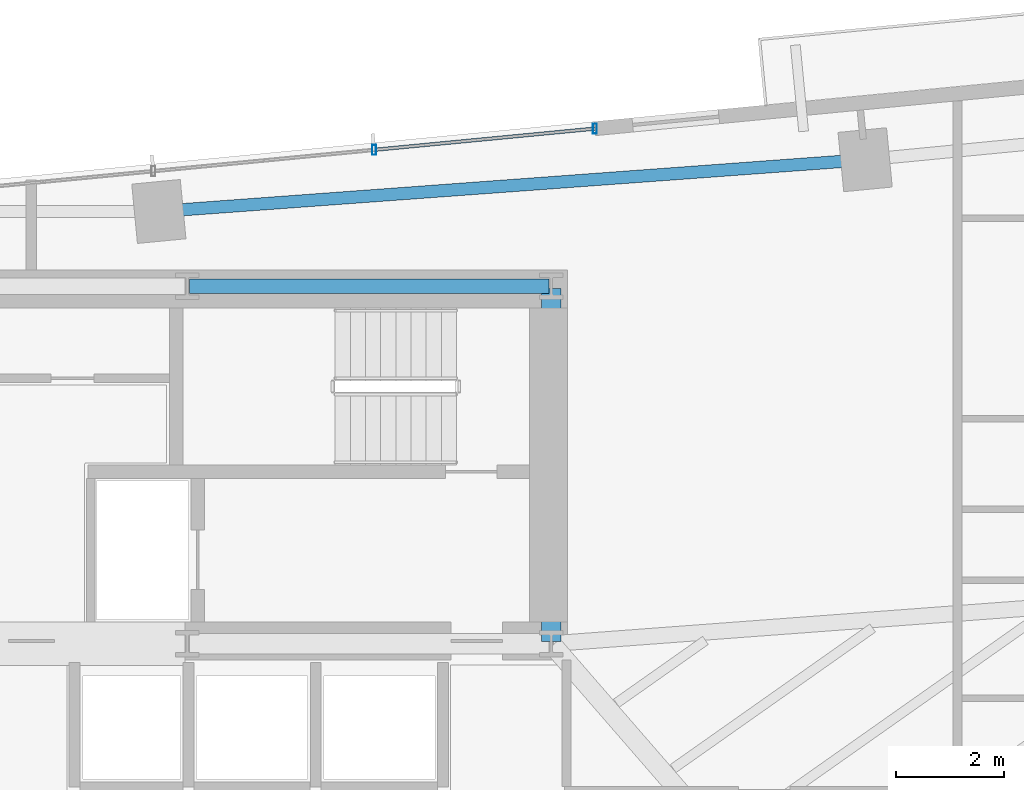
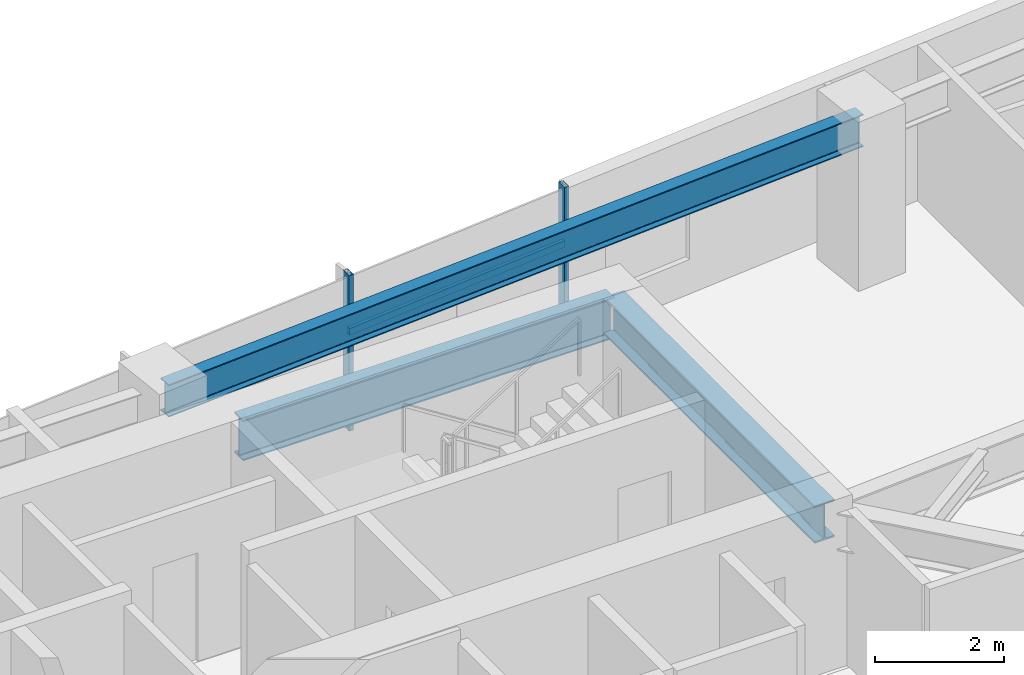
# One storey, part 17 of 27: 3 beams, 3 members, 1 element without a shape of its own.
"""IFC4 building model written with IfcOpenShell, lengths in metres."""

from ifc_helpers import new_model, si_unit, direction, frame, origin, origin_2d, place, context, subcontext, project, spatial, hollow_rectangle, i_section, extrude, source, transform, mapped, material, material_profile, profile_set, type_object, type_shapes, element, aggregate, save


model = new_model("IFC4")

# Units and contexts
model_context = context("Model", 3, precision=1e-05, world=origin(), true_north=direction((0.0, 1.0)))
body_context = subcontext(model_context, "Body", "Model", "MODEL_VIEW")
ifc_project = project(units=[si_unit("LENGTHUNIT", "METRE"), si_unit("AREAUNIT", "SQUARE_METRE"), si_unit("VOLUMEUNIT", "CUBIC_METRE"), si_unit("PLANEANGLEUNIT", "RADIAN"), si_unit("MASSUNIT", "GRAM", prefix="KILO")], contexts=[model_context])

# Site, building, storey
site_placement = place(None, origin())
site = spatial("IfcSite", under=ifc_project, at=site_placement, CompositionType="ELEMENT")
building_placement = place(site_placement, origin())
building = spatial("IfcBuilding", under=site, at=building_placement, Name="Astriad Promenade Condominiums", CompositionType="ELEMENT")
storey_placement = place(building_placement, frame((0.0, 0.0, 90.60009765625)))
storey = spatial("IfcBuildingStorey", under=building, at=storey_placement, Name="L25", CompositionType="ELEMENT", Elevation=90.60009765625)

# Beams
ifc_material_1 = material(Name="Steel ASTM A992 Grade 50", Category="steel")
ifc_material_profile_1 = material_profile(ifc_material_1, i_section(OverallWidth=0.267822265625, OverallDepth=0.76953125, WebThickness=0.015625, FlangeThickness=0.025390625, FilletRadius=0.021484375, at=origin_2d()), Name="W30X132")
ifc_profile_set_1 = profile_set([ifc_material_profile_1], Name="Steel ASTM A992 Grade 50")
beam_type_1 = type_object("IfcBeamType", Name="STEEL FLOOR GIRDER W30X132", PredefinedType="BEAM", material=ifc_profile_set_1)
shared_shape_1 = source(origin(), body_context, "Body", "SweptSolid", [
    extrude(i_section(OverallWidth=0.267822265625, OverallDepth=0.76953125, WebThickness=0.015625, FlangeThickness=0.025390625, FilletRadius=0.021484375, at=origin_2d()), origin(), (0.0, 0.0, 1.0), 6.64013671875),
])
type_shapes(beam_type_1, [shared_shape_1])
beam_1_placement = place(storey_placement, frame((38.919921875, 24.0, 2.55517578125), z_axis=(1.0, 0.0, 0.0), x_axis=(0.0, 1.0, 0.0)))
element("IfcBeam", 1, at=beam_1_placement, inside=storey, type_object=beam_type_1, Name="Core Ring Beam CG-N3-L25", PredefinedType="BEAM", context=body_context, shape_type="MappedRepresentation", body=[
    mapped(shared_shape_1, transform((0.0, 0.0, 0.0), scale=1.0)),
])
ifc_material_profile_2 = material_profile(ifc_material_1, i_section(OverallWidth=0.35791015625, OverallDepth=0.706298828125, WebThickness=0.018310546875, FlangeThickness=0.0302734375, FilletRadius=0.020263671875, at=origin_2d()), Name="W27X178")
ifc_profile_set_2 = profile_set([ifc_material_profile_2], Name="Steel ASTM A992 Grade 50")
beam_type_2 = type_object("IfcBeamType", Name="STEEL FLOOR GIRDER W27X178", PredefinedType="BEAM", material=ifc_profile_set_2)
shared_shape_2 = source(origin(), body_context, "Body", "SweptSolid", [
    extrude(i_section(OverallWidth=0.35791015625, OverallDepth=0.706298828125, WebThickness=0.018310546875, FlangeThickness=0.0302734375, FilletRadius=0.020263671875, at=origin_2d()), origin(), (0.0, 0.0, 1.0), 6.52001953125),
])
type_shapes(beam_type_2, [shared_shape_2])
beam_2_placement = place(storey_placement, frame((45.60009765625, 17.43994140625, 2.586669921875), z_axis=(0.0, 1.0, 0.0), x_axis=(-1.0, 0.0, 0.0)))
element("IfcBeam", 2, at=beam_2_placement, inside=storey, type_object=beam_type_2, Name="Core Ring Beam CG-E1-L25", PredefinedType="BEAM", context=body_context, shape_type="MappedRepresentation", body=[
    mapped(shared_shape_2, transform((0.0, 0.0, 0.0), scale=1.0)),
])
ifc_material_profile_3 = material_profile(ifc_material_1, i_section(OverallWidth=0.22900390625, OverallDepth=0.612060546875, WebThickness=0.011962890625, FlangeThickness=0.01953125, FilletRadius=0.017822265625, at=origin_2d()), Name="W24X84")
ifc_profile_set_3 = profile_set([ifc_material_profile_3], Name="Steel ASTM A992 Grade 50")
beam_type_3 = type_object("IfcBeamType", Name="STEEL SPANDREL BEAM W24X84", PredefinedType="SPANDREL", material=ifc_profile_set_3)
shared_shape_3 = source(origin(), body_context, "Body", "SweptSolid", [
    extrude(i_section(OverallWidth=0.22900390625, OverallDepth=0.612060546875, WebThickness=0.011962890625, FlangeThickness=0.01953125, FilletRadius=0.017822265625, at=origin_2d()), origin(), (0.0, 0.0, 1.0), 12.99462890625),
])
type_shapes(beam_type_3, [shared_shape_3])
beam_3_placement = place(storey_placement, frame((51.3544921875, 26.33203125, 2.6337890625), z_axis=(-0.997328518297, -0.073046742505, 0.0), x_axis=(0.073046742505, -0.997328518297, 0.0)))
element("IfcBeam", 3, at=beam_3_placement, inside=storey, type_object=beam_type_3, Name="Perimeter Spandrel Beam SP-N3-L25", PredefinedType="SPANDREL", context=body_context, shape_type="MappedRepresentation", body=[
    mapped(shared_shape_3, transform((0.0, 0.0, 0.0), scale=1.0)),
])

# Curtain wall, members
ifc_material_2 = material(Name="Anodised aluminium Black Dark Glass Unitised", Category="aluminium")
curtain_wall_type = type_object("IfcCurtainWallType", Name="CW-B2-DARK", PredefinedType="USERDEFINED", material=ifc_material_2)
curtain_wall_placement = place(storey_placement, origin())
curtain_wall = element("IfcCurtainWall", 4, at=curtain_wall_placement, inside=storey, type_object=curtain_wall_type, Name="CW-L25-N", ObjectType="UNITISED_CURTAIN_WALL", PredefinedType="USERDEFINED")
ifc_material_3 = material(Name="Anodised aluminium 6063-T6 Black", Category="aluminium")
ifc_material_profile_4 = material_profile(ifc_material_3, hollow_rectangle(XDim=0.074951171875, YDim=0.18505859375, WallThickness=0.00439453125, at=origin_2d()), Name="ALU-MUL-75X185")
ifc_profile_set_4 = profile_set([ifc_material_profile_4], Name="Anodised aluminium 6063-T6 Black")
member_type_1 = type_object("IfcMemberType", Name="MUL-ALU-MUL-75X185", PredefinedType="MULLION", material=ifc_profile_set_4)
shared_shape_4 = source(origin(), body_context, "Body", "SweptSolid", [
    extrude(hollow_rectangle(XDim=0.074951171875, YDim=0.18505859375, WallThickness=0.00439453125, at=origin_2d()), origin(), (0.0, 0.0, 1.0), 2.93994140625),
])
type_shapes(member_type_1, [shared_shape_4])
member_1_placement = place(storey_placement, frame((42.330078125, 26.51708984375, 0.0), z_axis=(0.0, 0.0, 1.0), x_axis=(1.0, 0.0, 0.0)))
member_1 = element("IfcMember", 5, at=member_1_placement, type_object=member_type_1, Name="CW-L25-N-MUL-03", PredefinedType="MULLION", context=body_context, shape_type="MappedRepresentation", body=[
    mapped(shared_shape_4, transform((0.0, 0.0, 0.0), scale=1.0)),
])
member_2_placement = place(storey_placement, frame((46.40625, 26.90966796875, 0.0), z_axis=(0.0, 0.0, 1.0), x_axis=(1.0, 0.0, 0.0)))
member_2 = element("IfcMember", 6, at=member_2_placement, type_object=member_type_1, Name="CW-L25-N-MUL-04", PredefinedType="MULLION", context=body_context, shape_type="MappedRepresentation", body=[
    mapped(shared_shape_4, transform((0.0, 0.0, 0.0), scale=1.0)),
])
ifc_material_profile_5 = material_profile(ifc_material_3, hollow_rectangle(XDim=0.06494140625, YDim=0.1298828125, WallThickness=0.00390625, at=origin_2d()), Name="ALU-TRN-65X130")
ifc_profile_set_5 = profile_set([ifc_material_profile_5], Name="Anodised aluminium 6063-T6 Black")
member_type_2 = type_object("IfcMemberType", Name="TRN-ALU-TRN-65X130", PredefinedType="USERDEFINED", material=ifc_profile_set_5)
shared_shape_5 = source(origin(), body_context, "Body", "SweptSolid", [
    extrude(hollow_rectangle(XDim=0.06494140625, YDim=0.1298828125, WallThickness=0.00390625, at=origin_2d()), origin(), (0.0, 0.0, 1.0), 4.094970703125),
])
type_shapes(member_type_2, [shared_shape_5])
member_3_placement = place(storey_placement, frame((42.330078125, 26.51708984375, 1.82275390625), z_axis=(0.995394161585, 0.09586690296, 0.0), x_axis=(-0.09586690296, 0.995394161585, 0.0)))
member_3 = element("IfcMember", 7, at=member_3_placement, type_object=member_type_2, Name="CW-L25-N-TRN-03-0", ObjectType="TRANSOM", PredefinedType="USERDEFINED", context=body_context, shape_type="MappedRepresentation", body=[
    mapped(shared_shape_5, transform((0.0, 0.0, 0.0), scale=1.0)),
])
aggregate(curtain_wall, [member_1, member_2, member_3])

save(model, "model.ifc")
